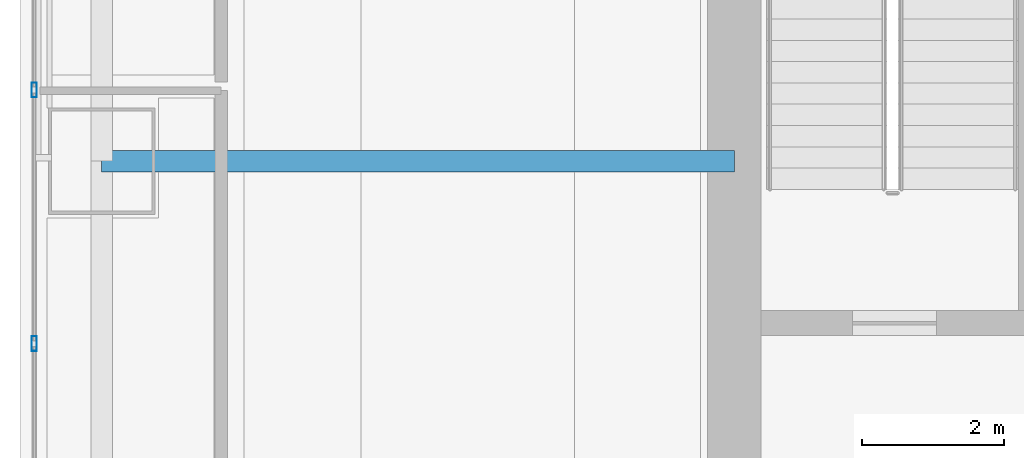
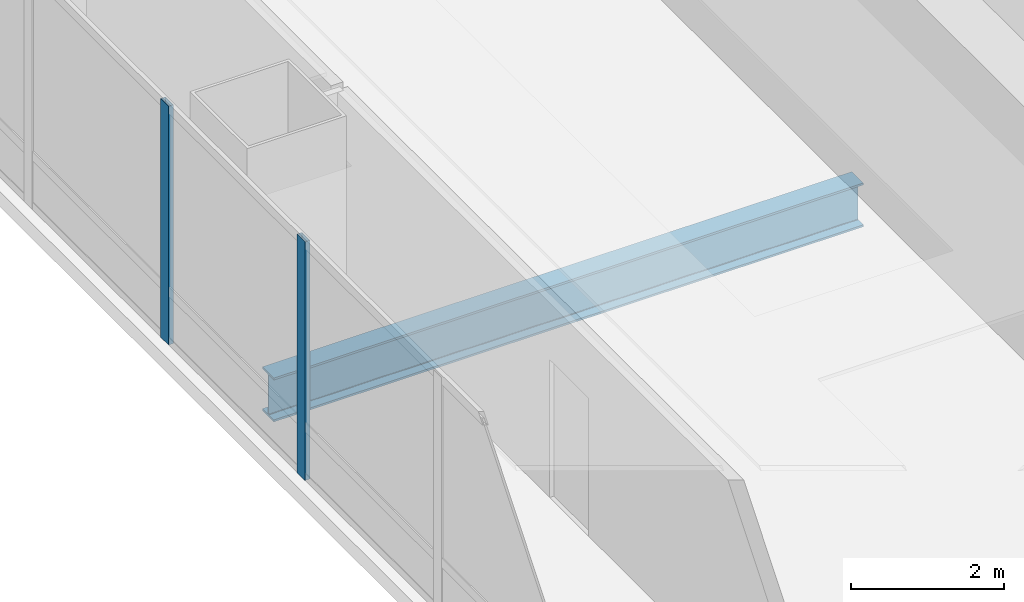
# One storey, part 8 of 35: 2 members, 1 beam, 1 element without a shape of its own.
"""IFC4 building model written with IfcOpenShell, lengths in metres."""

from ifc_helpers import new_model, si_unit, direction, frame, origin, origin_2d, place, context, subcontext, project, spatial, hollow_rectangle, i_section, extrude, material, material_profile, profile_set, type_object, element, aggregate, save


model = new_model("IFC4")

# Units and contexts
model_context = context("Model", 3, precision=1e-05, world=origin(), true_north=direction((0.0, 1.0)))
body_context = subcontext(model_context, "Body", "Model", "MODEL_VIEW")
ifc_project = project(units=[si_unit("LENGTHUNIT", "METRE"), si_unit("AREAUNIT", "SQUARE_METRE"), si_unit("VOLUMEUNIT", "CUBIC_METRE"), si_unit("PLANEANGLEUNIT", "RADIAN"), si_unit("MASSUNIT", "GRAM", prefix="KILO")], contexts=[model_context])

# Site, building, storey
site_placement = place(None, origin())
site = spatial("IfcSite", under=ifc_project, at=site_placement, CompositionType="ELEMENT")
building_placement = place(site_placement, origin())
building = spatial("IfcBuilding", under=site, at=building_placement, Name="Punatoya Terracotta Tower", CompositionType="ELEMENT")
storey_placement = place(building_placement, frame((0.0, 0.0, 64.64990234375)))
storey = spatial("IfcBuildingStorey", under=building, at=storey_placement, Name="L14", CompositionType="ELEMENT", Elevation=64.64990234375)

# Beam
ifc_material_1 = material(Name="Steel S355", Category="steel")
ifc_material_profile_1 = material_profile(ifc_material_1, i_section(OverallWidth=0.300048828125, OverallDepth=0.699951171875, WebThickness=0.01708984375, FlangeThickness=0.031982421875, FilletRadius=0.01806640625, at=origin_2d()))
ifc_profile_set_1 = profile_set([ifc_material_profile_1], Name="Steel S355")
beam_type = type_object("IfcBeamType", Name="BM-PRI-700", PredefinedType="BEAM", material=ifc_profile_set_1)
beam_placement = place(storey_placement, frame((-19.10009765625, -3.39990234375, -0.58984375), z_axis=(1.0, 0.0, 0.0), x_axis=(0.0, 1.0, 0.0)))
element("IfcBeam", 1, at=beam_placement, inside=storey, type_object=beam_type, Name="BM-L14-PR-WD", PredefinedType="BEAM", context=body_context, shape_type="SweptSolid", body=[
    extrude(i_section(OverallWidth=0.300048828125, OverallDepth=0.699951171875, WebThickness=0.01708984375, FlangeThickness=0.031982421875, FilletRadius=0.01806640625, at=origin_2d()), origin(), (0.0, 0.0, 1.0), 8.900146484375),
])

# Curtain wall, members
ifc_material_2 = material(Name="Aluminium 6063-T6 + Double Low-E Glass", Category="aluminium")
curtain_wall_type = type_object("IfcCurtainWallType", Name="CW-M1", PredefinedType="NOTDEFINED", material=ifc_material_2)
curtain_wall_placement = place(storey_placement, origin())
curtain_wall = element("IfcCurtainWall", 2, at=curtain_wall_placement, inside=storey, type_object=curtain_wall_type, Name="L14 Curtain Wall CW-L14-W13-1", PredefinedType="NOTDEFINED")
ifc_material_3 = material(Name="Aluminium 6063-T6", Category="aluminium")
ifc_material_profile_2 = material_profile(ifc_material_3, hollow_rectangle(XDim=0.074951171875, YDim=0.2099609375, WallThickness=0.00439453125, at=origin_2d()))
ifc_profile_set_2 = profile_set([ifc_material_profile_2], Name="Aluminium 6063-T6")
member_type = type_object("IfcMemberType", Name="CW-MUL-M1", PredefinedType="MULLION", material=ifc_profile_set_2)
member_1_placement = place(storey_placement, frame((-20.050048828125, -2.39990234375, 0.0), z_axis=(0.0, 0.0, 1.0), x_axis=(1.0, 0.0, 0.0)))
member_1 = element("IfcMember", 3, at=member_1_placement, type_object=member_type, Name="CW-L14-W13-1 Mullion 05", PredefinedType="MULLION", context=body_context, shape_type="SweptSolid", body=[
    extrude(hollow_rectangle(XDim=0.074951171875, YDim=0.2099609375, WallThickness=0.00439453125, at=origin_2d()), origin(), (0.0, 0.0, 1.0), 3.81005859375),
])
member_2_placement = place(storey_placement, frame((-20.050048828125, -5.96728515625, 0.0), z_axis=(0.0, 0.0, 1.0), x_axis=(1.0, 0.0, 0.0)))
member_2 = element("IfcMember", 4, at=member_2_placement, type_object=member_type, Name="CW-L14-W13-1 Mullion 06", PredefinedType="MULLION", context=body_context, shape_type="SweptSolid", body=[
    extrude(hollow_rectangle(XDim=0.074951171875, YDim=0.2099609375, WallThickness=0.00439453125, at=origin_2d()), origin(), (0.0, 0.0, 1.0), 3.81005859375),
])
aggregate(curtain_wall, [member_1, member_2])

save(model, "model.ifc")
